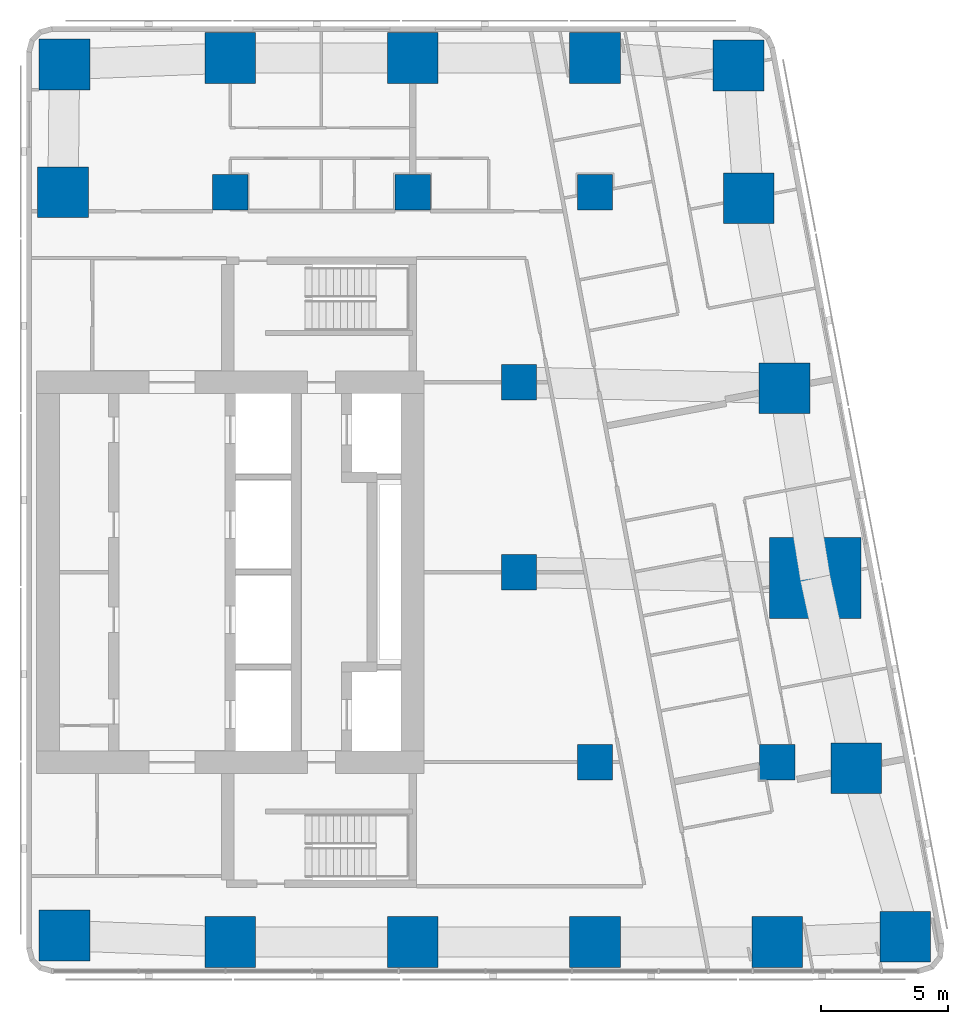
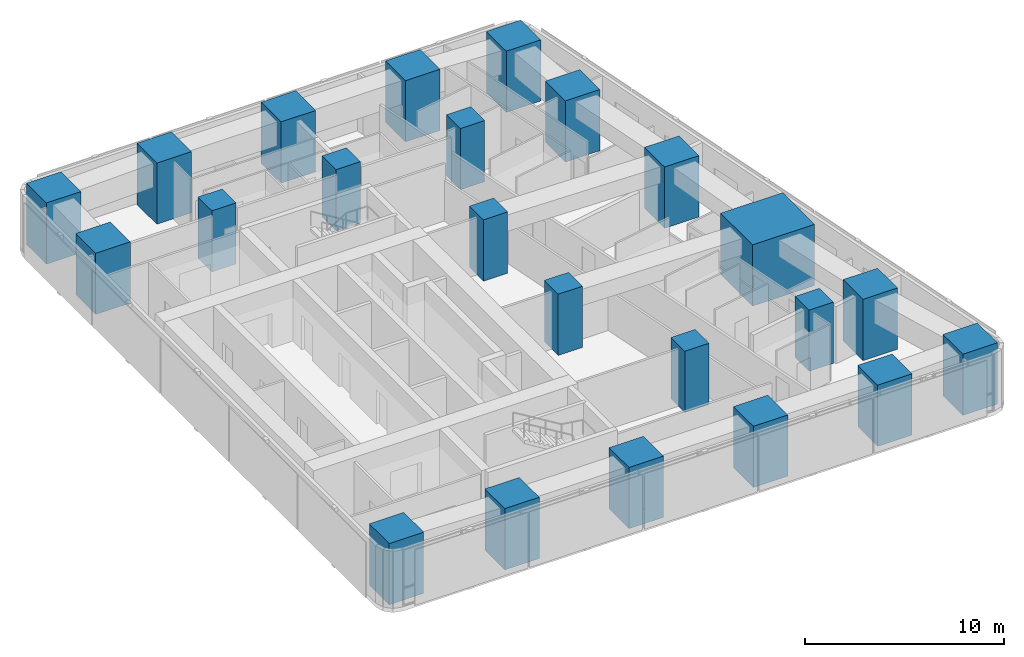
# One storey, part 1 of 11: 23 columns.
"""IFC4 building model written with IfcOpenShell, lengths in metres."""

from ifc_helpers import new_model, si_unit, direction, frame, origin, origin_2d, place, context, subcontext, project, spatial, rectangle, extrude, material, material_profile, profile_set, type_object, element, save


model = new_model("IFC4")

# Units and contexts
model_context = context("Model", 3, precision=1e-05, world=origin(), true_north=direction((0.0, 1.0)))
body_context = subcontext(model_context, "Body", "Model", "MODEL_VIEW")
ifc_project = project(units=[si_unit("LENGTHUNIT", "METRE"), si_unit("AREAUNIT", "SQUARE_METRE"), si_unit("VOLUMEUNIT", "CUBIC_METRE"), si_unit("PLANEANGLEUNIT", "RADIAN"), si_unit("MASSUNIT", "GRAM", prefix="KILO")], contexts=[model_context])

# Site, building, storey
site_placement = place(None, origin())
site = spatial("IfcSite", under=ifc_project, at=site_placement, CompositionType="ELEMENT")
building_placement = place(site_placement, origin())
building = spatial("IfcBuilding", under=site, at=building_placement, Name="Sheger Commons Tower", CompositionType="ELEMENT")
storey_placement = place(building_placement, frame((0.0, 0.0, 274.10009765625)))
storey = spatial("IfcBuildingStorey", under=building, at=storey_placement, Name="L70", CompositionType="ELEMENT", Elevation=274.10009765625)

# Columns
ifc_material_1 = material(Name="Concrete C50/60", Category="concrete")
ifc_material_profile_1 = material_profile(ifc_material_1, rectangle(XDim=3.60009765625, YDim=3.199951171875, at=origin_2d()), Name="RC 3600x3200")
ifc_profile_set_1 = profile_set([ifc_material_profile_1], Name="Concrete C50/60")
column_type_1 = type_object("IfcColumnType", Name="COLUMN PIER RC 3600x3200", PredefinedType="COLUMN", material=ifc_profile_set_1)
column_placement = place(storey_placement, frame((44.697021484375, 22.262939453125, 0.0), z_axis=(0.0, 0.0, 1.0), x_axis=(1.0, 0.0, 0.0)))
element("IfcColumn", 1, at=column_placement, inside=storey, type_object=column_type_1, Name="Pier 7/D+E/D L70", PredefinedType="COLUMN", context=body_context, shape_type="SweptSolid", body=[
    extrude(rectangle(XDim=3.60009765625, YDim=3.199951171875, at=origin_2d()), origin(), (0.0, 0.0, 1.0), 3.75),
])
ifc_material_2 = material(Name="Concrete C50/60", Category="concrete")
ifc_material_profile_2 = material_profile(ifc_material_2, rectangle(XDim=1.39990234375, YDim=1.39990234375, at=origin_2d()), Name="RC 1400x1400")
ifc_profile_set_2 = profile_set([ifc_material_profile_2], Name="Concrete C50/60")
column_type_2 = type_object("IfcColumnType", Name="COLUMN RC 1400x1400", PredefinedType="COLUMN", material=ifc_profile_set_2)
for number, where, z_axis, x_axis, name in (
    (2, (36.0, 15.0, 0.0), (0.0, 0.0, 1.0), (1.0, 0.0, 0.0), "Column 6/C L70"),
    (3, (43.199951171875, 15.0, 0.0), (0.0, 0.0, 1.0), (1.0, 0.0, 0.0), "Column 7/C L70"),
    (4, (33.0, 22.5, 0.0), (0.0, 0.0, 1.0), (1.0, 0.0, 0.0), "Column 6-3000/D L70"),
    (5, (33.0, 30.0, 0.0), (0.0, 0.0, 1.0), (1.0, 0.0, 0.0), "Column 6-3000/E L70"),
    (6, (21.60009765625, 37.5, 0.0), (0.0, 0.0, 1.0), (1.0, 0.0, 0.0), "Column 4/F L70"),
    (7, (28.800048828125, 37.5, 0.0), (0.0, 0.0, 1.0), (1.0, 0.0, 0.0), "Column 5/F L70"),
    (8, (36.0, 37.5, 0.0), (0.0, 0.0, 1.0), (1.0, 0.0, 0.0), "Column 6/F L70"),
):
    element("IfcColumn", number, at=place(storey_placement, frame(where, z_axis=z_axis, x_axis=x_axis)), inside=storey, type_object=column_type_2, Name=name, PredefinedType="COLUMN", context=body_context, shape_type="SweptSolid", body=[
        extrude(rectangle(XDim=1.39990234375, YDim=1.39990234375, at=origin_2d()), origin(), (0.0, 0.0, 1.0), 3.75),
    ])
ifc_material_3 = material(Name="Concrete C50/60", Category="concrete")
ifc_material_profile_3 = material_profile(ifc_material_3, rectangle(XDim=2.0, YDim=2.0, at=origin_2d()), Name="RC 2000x2000")
ifc_profile_set_3 = profile_set([ifc_material_profile_3], Name="Concrete C50/60")
column_type_3 = type_object("IfcColumnType", Name="COLUMN RC 2000x2000", PredefinedType="COLUMN", material=ifc_profile_set_3)
for number, where, z_axis, x_axis, name in (
    (9, (15.053955078125, 8.154052734375, 0.0), (0.0, 0.0, 1.0), (1.0, 0.0, 0.0), "Column 3/B L70"),
    (10, (21.60009765625, 7.89990234375, 0.0), (0.0, 0.0, 1.0), (1.0, 0.0, 0.0), "Column 4/B L70"),
    (11, (28.800048828125, 7.89990234375, 0.0), (0.0, 0.0, 1.0), (1.0, 0.0, 0.0), "Column 5/B L70"),
    (12, (36.0, 7.89990234375, 0.0), (0.0, 0.0, 1.0), (1.0, 0.0, 0.0), "Column 6/B L70"),
    (13, (43.199951171875, 7.89990234375, 0.0), (0.0, 0.0, 1.0), (1.0, 0.0, 0.0), "Column 7/B L70"),
    (14, (48.251953125, 8.10693359375, 0.0), (0.0, 0.0, 1.0), (1.0, 0.0, 0.0), "Column E/B L70"),
    (15, (46.31396484375, 14.762939453125, 0.0), (0.0, 0.0, 1.0), (1.0, 0.0, 0.0), "Column E/C L70"),
    (16, (43.47998046875, 29.762939453125, 0.0), (0.0, 0.0, 1.0), (1.0, 0.0, 0.0), "Column E/E L70"),
    (17, (15.0, 37.5, 0.0), (0.0, 0.0, 1.0), (1.0, 0.0, 0.0), "Column 3/F L70"),
    (18, (42.06396484375, 37.262939453125, 0.0), (0.0, 0.0, 1.0), (1.0, 0.0, 0.0), "Column E/F L70"),
    (19, (15.053955078125, 42.5458984375, 0.0), (0.0, 0.0, 1.0), (1.0, 0.0, 0.0), "Column 3/G-1.8 L70"),
    (20, (21.60009765625, 42.800048828125, 0.0), (0.0, 0.0, 1.0), (1.0, 0.0, 0.0), "Column 4/G-1.8 L70"),
    (21, (28.800048828125, 42.800048828125, 0.0), (0.0, 0.0, 1.0), (1.0, 0.0, 0.0), "Column 5/G-1.8 L70"),
    (22, (36.0, 42.800048828125, 0.0), (0.0, 0.0, 1.0), (1.0, 0.0, 0.0), "Column 6/G-1.8 L70"),
    (23, (41.6669921875, 42.506103515625, 0.0), (0.0, 0.0, 1.0), (1.0, 0.0, 0.0), "Column E/G-1.8 L70"),
):
    element("IfcColumn", number, at=place(storey_placement, frame(where, z_axis=z_axis, x_axis=x_axis)), inside=storey, type_object=column_type_3, Name=name, PredefinedType="COLUMN", context=body_context, shape_type="SweptSolid", body=[
        extrude(rectangle(XDim=2.0, YDim=2.0, at=origin_2d()), origin(), (0.0, 0.0, 1.0), 3.75),
    ])

save(model, "model.ifc")
